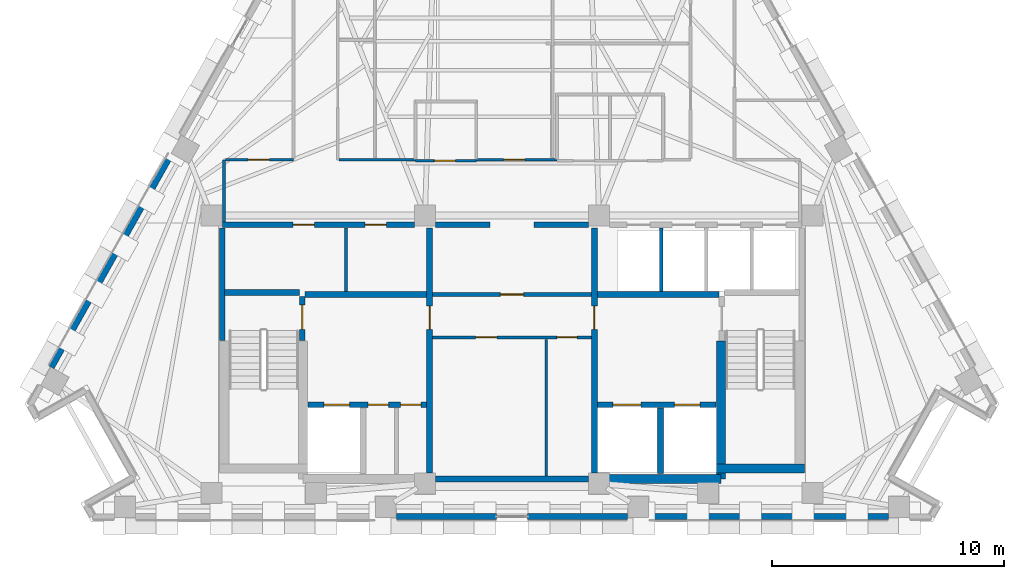
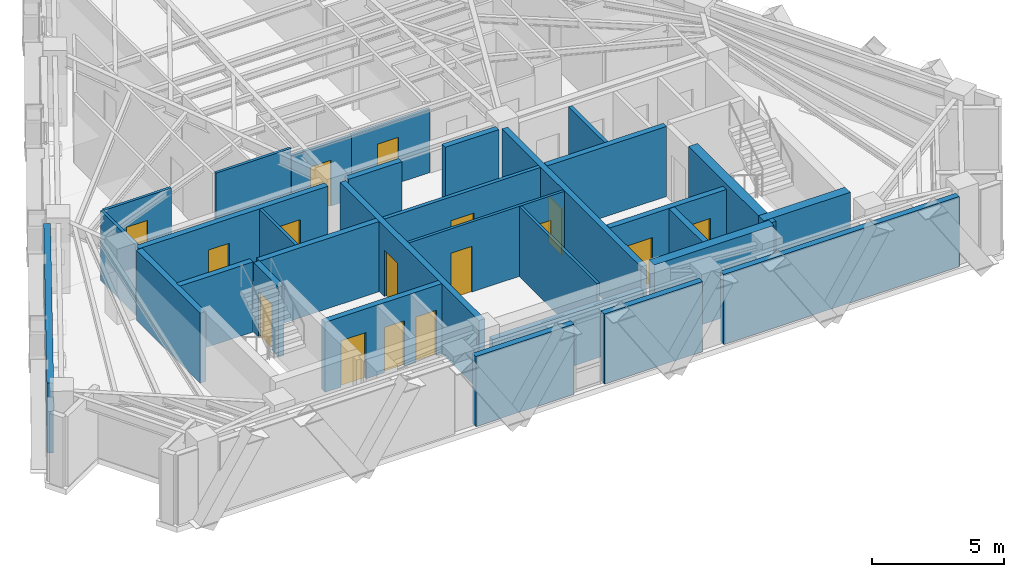
# One storey, part 7 of 12: 31 walls, 16 doors, 16 openings.
"""IFC4 building model written with IfcOpenShell, lengths in metres."""

from ifc_helpers import new_model, si_unit, direction, frame, frame_2d, origin, place, context, subcontext, project, spatial, rectangle, extrude, material, layer, layer_set, type_object, element, fill, save


model = new_model("IFC4")

# Units and contexts
model_context = context("Model", 3, precision=1e-05, world=origin(), true_north=direction((0.0, 1.0)))
body_context = subcontext(model_context, "Body", "Model", "MODEL_VIEW")
ifc_project = project(units=[si_unit("LENGTHUNIT", "METRE"), si_unit("AREAUNIT", "SQUARE_METRE"), si_unit("VOLUMEUNIT", "CUBIC_METRE"), si_unit("PLANEANGLEUNIT", "RADIAN"), si_unit("MASSUNIT", "GRAM", prefix="KILO")], contexts=[model_context])

# Site, building, storey
site_placement = place(None, origin())
site = spatial("IfcSite", under=ifc_project, at=site_placement, CompositionType="ELEMENT")
building_placement = place(site_placement, origin())
building = spatial("IfcBuilding", under=site, at=building_placement, Name="Quenlor Broadcast Tower", CompositionType="ELEMENT")
storey_placement = place(building_placement, frame((0.0, 0.0, 211.39990234375)))
storey = spatial("IfcBuildingStorey", under=building, at=storey_placement, Name="L58", CompositionType="ELEMENT", Elevation=211.39990234375)

# Walls
ifc_material_1 = material(Name="Concrete C50/60", Category="concrete")
ifc_layer_1 = layer(ifc_material_1, 0.39990234375)
ifc_layer_set_1 = layer_set([ifc_layer_1], Name="Core Concrete C50/60 Shear Wall 400")
wall_type_1 = type_object("IfcWallType", Name="Core Concrete C50/60 Shear Wall 400", PredefinedType="SHEAR", material=ifc_layer_set_1)
wall_1_placement = place(storey_placement, frame((3.75, -16.14990234375, 0.0), z_axis=(0.0, 0.0, 1.0), x_axis=(1.0, 0.0, 0.0)))
element("IfcWall", 1, at=wall_1_placement, inside=storey, type_object=wall_type_1, Name="L58 Core Shear Wall WS-E1", PredefinedType="SHEAR", context=body_context, shape_type="SweptSolid", body=[
    extrude(rectangle(XDim=5.25, YDim=0.39990234375, at=frame_2d((2.625, 0.0))), origin(), (0.0, 0.0, 1.0), 3.5),
])
wall_2_placement = place(storey_placement, frame((8.800048828125, -15.699951171875, 0.0), z_axis=(0.0, 0.0, 1.0), x_axis=(1.0, 0.0, 0.0)))
element("IfcWall", 2, at=wall_2_placement, inside=storey, type_object=wall_type_1, Name="L58 Core Shear Wall WS-E2", PredefinedType="SHEAR", context=body_context, shape_type="SweptSolid", body=[
    extrude(rectangle(XDim=3.800048828125, YDim=0.39990234375, at=frame_2d((1.89990234375, 0.0))), origin(), (0.0, 0.0, 1.0), 3.5),
])
wall_3_placement = place(storey_placement, frame((9.0, -16.14990234375, 0.0), z_axis=(0.0, 0.0, 1.0), x_axis=(0.0, 1.0, 0.0)))
element("IfcWall", 3, at=wall_3_placement, inside=storey, type_object=wall_type_1, Name="L58 Core Shear Wall WI-E", PredefinedType="SHEAR", context=body_context, shape_type="SweptSolid", body=[
    extrude(rectangle(XDim=5.949951171875, YDim=0.39990234375, at=frame_2d((2.97509765625, 0.0))), origin(), (0.0, 0.0, 1.0), 3.5),
])

# Wall, opening, door
ifc_material_2 = material(Name="Concrete C40/50", Category="concrete")
ifc_layer_2 = layer(ifc_material_2, 0.25)
ifc_layer_set_2 = layer_set([ifc_layer_2], Name="Fire Rated Concrete C40/50 Core Wall 250")
wall_type_2 = type_object("IfcWallType", Name="Fire Rated Concrete C40/50 Core Wall 250", PredefinedType="PARTITIONING", material=ifc_layer_set_2)
wall_4_placement = place(storey_placement, frame((-9.0400390625, -10.179931640625, 0.0), z_axis=(0.0, 0.0, 1.0), x_axis=(0.0, 1.0, 0.0)))
wall_4 = element("IfcWall", 4, at=wall_4_placement, inside=storey, type_object=wall_type_2, Name="L58 Interior Wall CW-ST1-DR", PredefinedType="PARTITIONING", context=body_context, shape_type="SweptSolid", body=[
    extrude(rectangle(XDim=1.89990234375, YDim=0.25, at=frame_2d((0.949951171875, 0.0))), origin(), (0.0, 0.0, 1.0), 3.25),
])
opening_1_placement = place(wall_4_placement, frame((0.47998046875, 0.0, 0.0)))
opening_1 = element("IfcOpeningElement", 5, at=opening_1_placement, cuts=wall_4, Name="Opening FD-1", PredefinedType="OPENING", context=body_context, shape_type="SweptSolid", body=[
    extrude(rectangle(XDim=1.050048828125, YDim=2.14990234375, at=frame_2d((0.52490234375, 1.074951171875))), frame((0.0, 0.135009765625, 0.0), z_axis=(0.0, -1.0, 0.0), x_axis=(1.0, 0.0, 0.0)), (0.0, 0.0, 1.0), 0.27001953125),
])
ifc_material_3 = material(Name="Fire Rated Steel Door Leaf", Category="steel")
door_type_1 = type_object("IfcDoorType", Name="Fire Isolated Stair Door 1050x2150", OperationType="NOTDEFINED", PredefinedType="DOOR", material=ifc_material_3)
door_1_placement = place(opening_1_placement, origin())
door_1 = element("IfcDoor", 6, at=door_1_placement, inside=storey, type_object=door_type_1, Name="L58 Door DR-ST1", OperationType="SINGLE_SWING_LEFT", OverallHeight=2.14990234375, OverallWidth=1.050048828125, PredefinedType="DOOR", context=body_context, shape_type="SweptSolid", body=[
    extrude(rectangle(XDim=1.050048828125, YDim=2.14990234375, at=frame_2d((0.52490234375, 1.074951171875))), frame((0.0, 0.02490234375, 0.0), z_axis=(0.0, -1.0, 0.0), x_axis=(1.0, 0.0, 0.0)), (0.0, 0.0, 1.0), 0.050048828125),
])
fill(opening_1, door_1)

# Walls
wall_5_placement = place(storey_placement, frame((-12.3798828125, -8.1201171875, 0.0), z_axis=(0.0, 0.0, 1.0), x_axis=(1.0, 0.0, 0.0)))
element("IfcWall", 7, at=wall_5_placement, inside=storey, type_object=wall_type_2, Name="L58 Interior Wall CW-ST1-N", PredefinedType="PARTITIONING", context=body_context, shape_type="SweptSolid", body=[
    extrude(rectangle(XDim=3.219970703125, YDim=0.25, at=frame_2d((1.60986328125, 0.0))), origin(), (0.0, 0.0, 1.0), 3.25),
])
wall_6_placement = place(storey_placement, frame((-12.47998046875, -10.179931640625, 0.0), z_axis=(0.0, 0.0, 1.0), x_axis=(0.0, 1.0, 0.0)))
element("IfcWall", 8, at=wall_6_placement, inside=storey, type_object=wall_type_2, Name="L58 Interior Wall CW-ST1-W2", PredefinedType="PARTITIONING", context=body_context, shape_type="SweptSolid", body=[
    extrude(rectangle(XDim=4.83984375, YDim=0.25, at=frame_2d((2.419921875, 0.0))), origin(), (0.0, 0.0, 1.0), 3.25),
])

# Wall, openings, doors
wall_7_placement = place(storey_placement, frame((-8.798095703125, -12.949951171875, 0.0), z_axis=(0.0, 0.0, 1.0), x_axis=(1.0, 0.0, 0.0)))
wall_7 = element("IfcWall", 9, at=wall_7_placement, inside=storey, type_object=wall_type_2, Name="L58 Interior Wall CW-FFW-S", PredefinedType="PARTITIONING", context=body_context, shape_type="SweptSolid", body=[
    extrude(rectangle(XDim=5.1181640625, YDim=0.25, at=frame_2d((2.55908203125, 0.0))), origin(), (0.0, 0.0, 1.0), 3.25),
])
opening_2_placement = place(wall_7_placement, frame((0.697998046875, 0.0, 0.0)))
opening_2 = element("IfcOpeningElement", 10, at=opening_2_placement, cuts=wall_7, Name="Opening LD-FFL-1", PredefinedType="OPENING", context=body_context, shape_type="SweptSolid", body=[
    extrude(rectangle(XDim=1.10009765625, YDim=2.14990234375, at=frame_2d((0.550048828125, 1.074951171875))), frame((0.0, 0.135009765625, 0.0), z_axis=(0.0, -1.0, 0.0), x_axis=(1.0, 0.0, 0.0)), (0.0, 0.0, 1.0), 0.27001953125),
])
opening_3_placement = place(wall_7_placement, frame((2.597900390625, 0.0, 0.0)))
opening_3 = element("IfcOpeningElement", 11, at=opening_3_placement, cuts=wall_7, Name="Opening TD-1", PredefinedType="OPENING", context=body_context, shape_type="SweptSolid", body=[
    extrude(rectangle(XDim=0.8798828125, YDim=2.10009765625, at=frame_2d((0.43994140625, 1.050048828125))), frame((0.0, 0.135009765625, 0.0), z_axis=(0.0, -1.0, 0.0), x_axis=(1.0, 0.0, 0.0)), (0.0, 0.0, 1.0), 0.27001953125),
])
opening_4_placement = place(wall_7_placement, frame((3.998046875, 0.0, 0.0)))
opening_4 = element("IfcOpeningElement", 12, at=opening_4_placement, cuts=wall_7, Name="Opening TD-1", PredefinedType="OPENING", context=body_context, shape_type="SweptSolid", body=[
    extrude(rectangle(XDim=0.8798828125, YDim=2.10009765625, at=frame_2d((0.43994140625, 1.050048828125))), frame((0.0, 0.135009765625, 0.0), z_axis=(0.0, -1.0, 0.0), x_axis=(1.0, 0.0, 0.0)), (0.0, 0.0, 1.0), 0.27001953125),
])
ifc_material_4 = material(Name="Brushed Stainless Steel", Category="steel")
door_type_2 = type_object("IfcDoorType", Name="Emergency Lift Sliding Landing Door 1100x2150", OperationType="NOTDEFINED", PredefinedType="DOOR", material=ifc_material_4)
door_2_placement = place(opening_2_placement, origin())
door_2 = element("IfcDoor", 13, at=door_2_placement, inside=storey, type_object=door_type_2, Name="L58 Door LD-FFL-1", OperationType="SLIDING_TO_LEFT", OverallHeight=2.14990234375, OverallWidth=1.10009765625, PredefinedType="DOOR", context=body_context, shape_type="SweptSolid", body=[
    extrude(rectangle(XDim=1.10009765625, YDim=2.14990234375, at=frame_2d((0.550048828125, 1.074951171875))), frame((0.0, 0.02490234375, 0.0), z_axis=(0.0, -1.0, 0.0), x_axis=(1.0, 0.0, 0.0)), (0.0, 0.0, 1.0), 0.050048828125),
])
fill(opening_2, door_2)
ifc_material_5 = material(Name="Fire Rated Steel Access Panel", Category="steel")
door_type_3 = type_object("IfcDoorType", Name="Riser Shaft Rated Access Trapdoor 880x2100", OperationType="NOTDEFINED", PredefinedType="TRAPDOOR", material=ifc_material_5)
door_3_placement = place(opening_3_placement, origin())
door_3 = element("IfcDoor", 14, at=door_3_placement, inside=storey, type_object=door_type_3, Name="L58 Door DR-ELR", OperationType="SINGLE_SWING_LEFT", OverallHeight=2.10009765625, OverallWidth=0.8798828125, PredefinedType="TRAPDOOR", context=body_context, shape_type="SweptSolid", body=[
    extrude(rectangle(XDim=0.8798828125, YDim=2.10009765625, at=frame_2d((0.43994140625, 1.050048828125))), frame((0.0, 0.02490234375, 0.0), z_axis=(0.0, -1.0, 0.0), x_axis=(1.0, 0.0, 0.0)), (0.0, 0.0, 1.0), 0.050048828125),
])
fill(opening_3, door_3)
door_4_placement = place(opening_4_placement, origin())
door_4 = element("IfcDoor", 15, at=door_4_placement, inside=storey, type_object=door_type_3, Name="L58 Door DR-CMR", OperationType="SINGLE_SWING_RIGHT", OverallHeight=2.10009765625, OverallWidth=0.8798828125, PredefinedType="TRAPDOOR", context=body_context, shape_type="SweptSolid", body=[
    extrude(rectangle(XDim=0.8798828125, YDim=2.10009765625, at=frame_2d((0.43994140625, 1.050048828125))), frame((0.0, 0.02490234375, 0.0), z_axis=(0.0, -1.0, 0.0), x_axis=(1.0, 0.0, 0.0)), (0.0, 0.0, 1.0), 0.050048828125),
])
fill(opening_4, door_4)

wall_8_placement = place(storey_placement, frame((3.679931640625, -12.949951171875, 0.0), z_axis=(0.0, 0.0, 1.0), x_axis=(1.0, 0.0, 0.0)))
wall_8 = element("IfcWall", 16, at=wall_8_placement, inside=storey, type_object=wall_type_2, Name="L58 Interior Wall CW-FFE-S", PredefinedType="PARTITIONING", context=body_context, shape_type="SweptSolid", body=[
    extrude(rectangle(XDim=5.1181640625, YDim=0.25, at=frame_2d((2.55908203125, 0.0))), origin(), (0.0, 0.0, 1.0), 3.25),
])
opening_5_placement = place(wall_8_placement, frame((3.320068359375, 0.0, 0.0)))
opening_5 = element("IfcOpeningElement", 17, at=opening_5_placement, cuts=wall_8, Name="Opening LD-FFL-2", PredefinedType="OPENING", context=body_context, shape_type="SweptSolid", body=[
    extrude(rectangle(XDim=1.10009765625, YDim=2.14990234375, at=frame_2d((0.550048828125, 1.074951171875))), frame((0.0, 0.135009765625, 0.0), z_axis=(0.0, -1.0, 0.0), x_axis=(1.0, 0.0, 0.0)), (0.0, 0.0, 1.0), 0.27001953125),
])
opening_6_placement = place(wall_8_placement, frame((0.669921875, 0.0, 0.0)))
opening_6 = element("IfcOpeningElement", 18, at=opening_6_placement, cuts=wall_8, Name="Opening LD-SVL-1", PredefinedType="OPENING", context=body_context, shape_type="SweptSolid", body=[
    extrude(rectangle(XDim=1.199951171875, YDim=2.14990234375, at=frame_2d((0.60009765625, 1.074951171875))), frame((0.0, 0.135009765625, 0.0), z_axis=(0.0, -1.0, 0.0), x_axis=(1.0, 0.0, 0.0)), (0.0, 0.0, 1.0), 0.27001953125),
])
door_5_placement = place(opening_5_placement, origin())
door_5 = element("IfcDoor", 19, at=door_5_placement, inside=storey, type_object=door_type_2, Name="L58 Door LD-FFL-2", OperationType="SLIDING_TO_RIGHT", OverallHeight=2.14990234375, OverallWidth=1.10009765625, PredefinedType="DOOR", context=body_context, shape_type="SweptSolid", body=[
    extrude(rectangle(XDim=1.10009765625, YDim=2.14990234375, at=frame_2d((0.550048828125, 1.074951171875))), frame((0.0, 0.02490234375, 0.0), z_axis=(0.0, -1.0, 0.0), x_axis=(1.0, 0.0, 0.0)), (0.0, 0.0, 1.0), 0.050048828125),
])
fill(opening_5, door_5)
ifc_material_6 = material(Name="Brushed Stainless Steel", Category="steel")
door_type_4 = type_object("IfcDoorType", Name="Goods Lift Sliding Landing Door 1200x2150", OperationType="NOTDEFINED", PredefinedType="DOOR", material=ifc_material_6)
door_6_placement = place(opening_6_placement, origin())
door_6 = element("IfcDoor", 20, at=door_6_placement, inside=storey, type_object=door_type_4, Name="L58 Door LD-SVL-1", OperationType="SLIDING_TO_LEFT", OverallHeight=2.14990234375, OverallWidth=1.199951171875, PredefinedType="DOOR", context=body_context, shape_type="SweptSolid", body=[
    extrude(rectangle(XDim=1.199951171875, YDim=2.14990234375, at=frame_2d((0.60009765625, 1.074951171875))), frame((0.0, 0.02490234375, 0.0), z_axis=(0.0, -1.0, 0.0), x_axis=(1.0, 0.0, 0.0)), (0.0, 0.0, 1.0), 0.050048828125),
])
fill(opening_6, door_6)

# Walls
wall_9_placement = place(storey_placement, frame((6.39990234375, -15.919921875, 0.0), z_axis=(0.0, 0.0, 1.0), x_axis=(0.0, 1.0, 0.0)))
element("IfcWall", 21, at=wall_9_placement, inside=storey, type_object=wall_type_2, Name="L58 Interior Wall CW-SV1-E", PredefinedType="PARTITIONING", context=body_context, shape_type="SweptSolid", body=[
    extrude(rectangle(XDim=2.829833984375, YDim=0.25, at=frame_2d((1.4150390625, 0.0))), origin(), (0.0, 0.0, 1.0), 3.25),
])
for number, where, z_axis, x_axis, name in (
    (22, (-8.919921875, -8.199951171875, 0.0), (0.0, 0.0, 1.0), (1.0, 0.0, 0.0), "L58 Interior Wall CW-FFW-N"),
    (23, (3.679931640625, -8.199951171875, 0.0), (0.0, 0.0, 1.0), (1.0, 0.0, 0.0), "L58 Interior Wall CW-FFE-N"),
):
    element("IfcWall", number, at=place(storey_placement, frame(where, z_axis=z_axis, x_axis=x_axis)), inside=storey, type_object=wall_type_2, Name=name, PredefinedType="PARTITIONING", context=body_context, shape_type="SweptSolid", body=[
        extrude(rectangle(XDim=5.239990234375, YDim=0.25, at=frame_2d((2.6201171875, 0.0))), origin(), (0.0, 0.0, 1.0), 3.25),
    ])

# Wall, opening, door
wall_10_placement = place(storey_placement, frame((-3.550048828125, -15.89794921875, 0.0), z_axis=(0.0, 0.0, 1.0), x_axis=(0.0, 1.0, 0.0)))
wall_10 = element("IfcWall", 24, at=wall_10_placement, inside=storey, type_object=wall_type_2, Name="L58 Interior Wall CW-FFW-E", PredefinedType="PARTITIONING", context=body_context, shape_type="SweptSolid", body=[
    extrude(rectangle(XDim=10.557861328125, YDim=0.25, at=frame_2d((5.27880859375, 0.0))), origin(), (0.0, 0.0, 1.0), 3.25),
])
opening_7_placement = place(wall_10_placement, frame((6.197998046875, 0.0, 0.0)))
opening_7 = element("IfcOpeningElement", 25, at=opening_7_placement, cuts=wall_10, Name="Opening FD-2", PredefinedType="OPENING", context=body_context, shape_type="SweptSolid", body=[
    extrude(rectangle(XDim=1.0, YDim=2.14990234375, at=frame_2d((0.5, 1.074951171875))), frame((0.0, 0.135009765625, 0.0), z_axis=(0.0, -1.0, 0.0), x_axis=(1.0, 0.0, 0.0)), (0.0, 0.0, 1.0), 0.27001953125),
])
ifc_material_7 = material(Name="Fire Rated Glazed Steel Door", Category="steel")
door_type_5 = type_object("IfcDoorType", Name="Firefighting Lobby Smoke Door 1000x2150", OperationType="NOTDEFINED", PredefinedType="DOOR", material=ifc_material_7)
door_7_placement = place(opening_7_placement, origin())
door_7 = element("IfcDoor", 26, at=door_7_placement, inside=storey, type_object=door_type_5, Name="L58 Door DR-FFLW", OperationType="SINGLE_SWING_RIGHT", OverallHeight=2.14990234375, OverallWidth=1.0, PredefinedType="DOOR", context=body_context, shape_type="SweptSolid", body=[
    extrude(rectangle(XDim=1.0, YDim=2.14990234375, at=frame_2d((0.5, 1.074951171875))), frame((0.0, 0.02490234375, 0.0), z_axis=(0.0, -1.0, 0.0), x_axis=(1.0, 0.0, 0.0)), (0.0, 0.0, 1.0), 0.050048828125),
])
fill(opening_7, door_7)

wall_11_placement = place(storey_placement, frame((3.550048828125, -15.89794921875, 0.0), z_axis=(0.0, 0.0, 1.0), x_axis=(0.0, 1.0, 0.0)))
wall_11 = element("IfcWall", 27, at=wall_11_placement, inside=storey, type_object=wall_type_2, Name="L58 Interior Wall CW-FFE-W", PredefinedType="PARTITIONING", context=body_context, shape_type="SweptSolid", body=[
    extrude(rectangle(XDim=10.557861328125, YDim=0.25, at=frame_2d((5.27880859375, 0.0))), origin(), (0.0, 0.0, 1.0), 3.25),
])
opening_8_placement = place(wall_11_placement, frame((6.197998046875, 0.0, 0.0)))
opening_8 = element("IfcOpeningElement", 28, at=opening_8_placement, cuts=wall_11, Name="Opening FD-2", PredefinedType="OPENING", context=body_context, shape_type="SweptSolid", body=[
    extrude(rectangle(XDim=1.0, YDim=2.14990234375, at=frame_2d((0.5, 1.074951171875))), frame((0.0, 0.135009765625, 0.0), z_axis=(0.0, -1.0, 0.0), x_axis=(1.0, 0.0, 0.0)), (0.0, 0.0, 1.0), 0.27001953125),
])
door_8_placement = place(opening_8_placement, origin())
door_8 = element("IfcDoor", 29, at=door_8_placement, inside=storey, type_object=door_type_5, Name="L58 Door DR-FFLE", OperationType="SINGLE_SWING_LEFT", OverallHeight=2.14990234375, OverallWidth=1.0, PredefinedType="DOOR", context=body_context, shape_type="SweptSolid", body=[
    extrude(rectangle(XDim=1.0, YDim=2.14990234375, at=frame_2d((0.5, 1.074951171875))), frame((0.0, 0.02490234375, 0.0), z_axis=(0.0, -1.0, 0.0), x_axis=(1.0, 0.0, 0.0)), (0.0, 0.0, 1.0), 0.050048828125),
])
fill(opening_8, door_8)

# Wall, openings, doors
wall_12_placement = place(storey_placement, frame((-12.47998046875, -5.199951171875, 0.0), z_axis=(0.0, 0.0, 1.0), x_axis=(1.0, 0.0, 0.0)))
wall_12 = element("IfcWall", 30, at=wall_12_placement, inside=storey, type_object=wall_type_2, Name="L58 Interior Wall CW-N-W", PredefinedType="PARTITIONING", context=body_context, shape_type="SweptSolid", body=[
    extrude(rectangle(XDim=8.278076171875, YDim=0.25, at=frame_2d((4.13916015625, 0.0))), origin(), (0.0, 0.0, 1.0), 3.25),
])
opening_9_placement = place(wall_12_placement, frame((3.050048828125, 0.0, 0.0)))
opening_9 = element("IfcOpeningElement", 31, at=opening_9_placement, cuts=wall_12, Name="Opening ID-1", PredefinedType="OPENING", context=body_context, shape_type="SweptSolid", body=[
    extrude(rectangle(XDim=0.919921875, YDim=2.1201171875, at=frame_2d((0.4599609375, 1.06005859375))), frame((0.0, 0.135009765625, 0.0), z_axis=(0.0, -1.0, 0.0), x_axis=(1.0, 0.0, 0.0)), (0.0, 0.0, 1.0), 0.27001953125),
])
opening_10_placement = place(wall_12_placement, frame((6.14990234375, 0.0, 0.0)))
opening_10 = element("IfcOpeningElement", 32, at=opening_10_placement, cuts=wall_12, Name="Opening ID-1", PredefinedType="OPENING", context=body_context, shape_type="SweptSolid", body=[
    extrude(rectangle(XDim=0.919921875, YDim=2.1201171875, at=frame_2d((0.4599609375, 1.06005859375))), frame((0.0, 0.135009765625, 0.0), z_axis=(0.0, -1.0, 0.0), x_axis=(1.0, 0.0, 0.0)), (0.0, 0.0, 1.0), 0.27001953125),
])
ifc_material_8 = material(Name="Solid Core Timber Oak", Category="wood")
door_type_6 = type_object("IfcDoorType", Name="Single Leaf Timber Office Door 920x2120", OperationType="NOTDEFINED", PredefinedType="DOOR", material=ifc_material_8)
door_9_placement = place(opening_9_placement, origin())
door_9 = element("IfcDoor", 33, at=door_9_placement, inside=storey, type_object=door_type_6, Name="L58 Door DR-RCL1", OperationType="SINGLE_SWING_LEFT", OverallHeight=2.1201171875, OverallWidth=0.919921875, PredefinedType="DOOR", context=body_context, shape_type="SweptSolid", body=[
    extrude(rectangle(XDim=0.919921875, YDim=2.1201171875, at=frame_2d((0.4599609375, 1.06005859375))), frame((0.0, 0.02490234375, 0.0), z_axis=(0.0, -1.0, 0.0), x_axis=(1.0, 0.0, 0.0)), (0.0, 0.0, 1.0), 0.050048828125),
])
fill(opening_9, door_9)
door_10_placement = place(opening_10_placement, origin())
door_10 = element("IfcDoor", 34, at=door_10_placement, inside=storey, type_object=door_type_6, Name="L58 Door DR-RCL2", OperationType="SINGLE_SWING_RIGHT", OverallHeight=2.1201171875, OverallWidth=0.919921875, PredefinedType="DOOR", context=body_context, shape_type="SweptSolid", body=[
    extrude(rectangle(XDim=0.919921875, YDim=2.1201171875, at=frame_2d((0.4599609375, 1.06005859375))), frame((0.0, 0.02490234375, 0.0), z_axis=(0.0, -1.0, 0.0), x_axis=(1.0, 0.0, 0.0)), (0.0, 0.0, 1.0), 0.050048828125),
])
fill(opening_10, door_10)

# Walls
for number, where, z_axis, x_axis, name in (
    (35, (-3.298095703125, -5.199951171875, 0.0), (0.0, 0.0, 1.0), (1.0, 0.0, 0.0), "L58 Interior Wall CW-N-M1"),
    (36, (0.949951171875, -5.199951171875, 0.0), (0.0, 0.0, 1.0), (1.0, 0.0, 0.0), "L58 Interior Wall CW-N-M2"),
):
    element("IfcWall", number, at=place(storey_placement, frame(where, z_axis=z_axis, x_axis=x_axis)), inside=storey, type_object=wall_type_2, Name=name, PredefinedType="PARTITIONING", context=body_context, shape_type="SweptSolid", body=[
        extrude(rectangle(XDim=2.34814453125, YDim=0.25, at=frame_2d((1.174072265625, 0.0))), origin(), (0.0, 0.0, 1.0), 3.25),
    ])
wall_13_placement = place(storey_placement, frame((-3.298095703125, -16.14990234375, 0.0), z_axis=(0.0, 0.0, 1.0), x_axis=(1.0, 0.0, 0.0)))
element("IfcWall", 37, at=wall_13_placement, inside=storey, type_object=wall_type_2, Name="L58 Interior Wall CW-MS-S", PredefinedType="PARTITIONING", context=body_context, shape_type="SweptSolid", body=[
    extrude(rectangle(XDim=6.59619140625, YDim=0.25, at=frame_2d((3.298095703125, 0.0))), origin(), (0.0, 0.0, 1.0), 2.4501953125),
])
ifc_material_9 = material(Name="Gypsum Fireboard Partition", Category="other")
ifc_layer_3 = layer(ifc_material_9, 0.159912109375)
ifc_layer_set_3 = layer_set([ifc_layer_3], Name="Fire Rated Shaft and Corridor Partition 160")
wall_type_3 = type_object("IfcWallType", Name="Fire Rated Shaft and Corridor Partition 160", PredefinedType="PARTITIONING", material=ifc_layer_set_3)
wall_14_placement = place(storey_placement, frame((6.425048828125, -8.072998046875, 0.0), z_axis=(0.0, 0.0, 1.0), x_axis=(0.0, 1.0, 0.0)))
element("IfcWall", 38, at=wall_14_placement, inside=storey, type_object=wall_type_3, Name="L58 Interior Wall CW-PLH-D1", PredefinedType="PARTITIONING", context=body_context, shape_type="SweptSolid", body=[
    extrude(rectangle(XDim=2.73291015625, YDim=0.159912109375, at=frame_2d((1.366455078125, 0.0))), origin(), (0.0, 0.0, 1.0), 3.25),
])

# Wall, opening, door
wall_15_placement = place(storey_placement, frame((-3.419921875, -8.199951171875, 0.0), z_axis=(0.0, 0.0, 1.0), x_axis=(1.0, 0.0, 0.0)))
wall_15 = element("IfcWall", 39, at=wall_15_placement, inside=storey, type_object=wall_type_3, Name="L58 Interior Wall CW-M-BACK", PredefinedType="PARTITIONING", context=body_context, shape_type="SweptSolid", body=[
    extrude(rectangle(XDim=6.83984375, YDim=0.159912109375, at=frame_2d((3.419921875, 0.0))), origin(), (0.0, 0.0, 1.0), 3.25),
])
opening_11_placement = place(wall_15_placement, frame((2.919921875, 0.0, 0.0)))
opening_11 = element("IfcOpeningElement", 40, at=opening_11_placement, cuts=wall_15, Name="Opening FD-2", PredefinedType="OPENING", context=body_context, shape_type="SweptSolid", body=[
    extrude(rectangle(XDim=1.0, YDim=2.14990234375, at=frame_2d((0.5, 1.074951171875))), frame((0.0, 0.08984375, 0.0), z_axis=(0.0, -1.0, 0.0), x_axis=(1.0, 0.0, 0.0)), (0.0, 0.0, 1.0), 0.179931640625),
])
door_11_placement = place(opening_11_placement, origin())
door_11 = element("IfcDoor", 41, at=door_11_placement, inside=storey, type_object=door_type_5, Name="L58 Door DR-CCRP", OperationType="SINGLE_SWING_LEFT", OverallHeight=2.14990234375, OverallWidth=1.0, PredefinedType="DOOR", context=body_context, shape_type="SweptSolid", body=[
    extrude(rectangle(XDim=1.0, YDim=2.14990234375, at=frame_2d((0.5, 1.074951171875))), frame((0.0, 0.02490234375, 0.0), z_axis=(0.0, -1.0, 0.0), x_axis=(1.0, 0.0, 0.0)), (0.0, 0.0, 1.0), 0.050048828125),
])
fill(opening_11, door_11)

# Wall
ifc_material_10 = material(Name="Gypsum Plasterboard Partition", Category="other")
ifc_layer_4 = layer(ifc_material_10, 0.1201171875)
ifc_layer_set_4 = layer_set([ifc_layer_4], Name="Standard Office Partition 120")
wall_type_4 = type_object("IfcWallType", Name="Standard Office Partition 120", PredefinedType="PARTITIONING", material=ifc_layer_set_4)
wall_16_placement = place(storey_placement, frame((-7.14990234375, -8.072998046875, 0.0), z_axis=(0.0, 0.0, 1.0), x_axis=(0.0, 1.0, 0.0)))
element("IfcWall", 42, at=wall_16_placement, inside=storey, type_object=wall_type_4, Name="L58 Interior Wall CW-RCL-MID", PredefinedType="PARTITIONING", context=body_context, shape_type="SweptSolid", body=[
    extrude(rectangle(XDim=2.73291015625, YDim=0.1201171875, at=frame_2d((1.366455078125, 0.0))), origin(), (0.0, 0.0, 1.0), 3.25),
])

# Wall, openings, doors
wall_17_placement = place(storey_placement, frame((-3.419921875, -10.050048828125, 0.0), z_axis=(0.0, 0.0, 1.0), x_axis=(1.0, 0.0, 0.0)))
wall_17 = element("IfcWall", 43, at=wall_17_placement, inside=storey, type_object=wall_type_4, Name="L58 Interior Wall CW-MS-N", PredefinedType="PARTITIONING", context=body_context, shape_type="SweptSolid", body=[
    extrude(rectangle(XDim=6.83984375, YDim=0.1201171875, at=frame_2d((3.419921875, 0.0))), origin(), (0.0, 0.0, 1.0), 3.25),
])
opening_12_placement = place(wall_17_placement, frame((1.85009765625, 0.0, 0.0)))
opening_12 = element("IfcOpeningElement", 44, at=opening_12_placement, cuts=wall_17, Name="Opening ID-1", PredefinedType="OPENING", context=body_context, shape_type="SweptSolid", body=[
    extrude(rectangle(XDim=0.919921875, YDim=2.1201171875, at=frame_2d((0.4599609375, 1.06005859375))), frame((0.0, 0.070068359375, 0.0), z_axis=(0.0, -1.0, 0.0), x_axis=(1.0, 0.0, 0.0)), (0.0, 0.0, 1.0), 0.14013671875),
])
opening_13_placement = place(wall_17_placement, frame((5.35009765625, 0.0, 0.0)))
opening_13 = element("IfcOpeningElement", 45, at=opening_13_placement, cuts=wall_17, Name="Opening ID-4", PredefinedType="OPENING", context=body_context, shape_type="SweptSolid", body=[
    extrude(rectangle(XDim=0.8798828125, YDim=2.1201171875, at=frame_2d((0.43994140625, 1.06005859375))), frame((0.0, 0.070068359375, 0.0), z_axis=(0.0, -1.0, 0.0), x_axis=(1.0, 0.0, 0.0)), (0.0, 0.0, 1.0), 0.14013671875),
])
ifc_material_11 = material(Name="Solid Core Timber Oak", Category="wood")
door_type_7 = type_object("IfcDoorType", Name="Service Closet Timber Door 880x2120", OperationType="NOTDEFINED", PredefinedType="DOOR", material=ifc_material_11)
door_12_placement = place(opening_13_placement, origin())
door_12 = element("IfcDoor", 46, at=door_12_placement, inside=storey, type_object=door_type_7, Name="L58 Door DR-RCMB", OperationType="SINGLE_SWING_RIGHT", OverallHeight=2.1201171875, OverallWidth=0.8798828125, PredefinedType="DOOR", context=body_context, shape_type="SweptSolid", body=[
    extrude(rectangle(XDim=0.8798828125, YDim=2.1201171875, at=frame_2d((0.43994140625, 1.06005859375))), frame((0.0, 0.02490234375, 0.0), z_axis=(0.0, -1.0, 0.0), x_axis=(1.0, 0.0, 0.0)), (0.0, 0.0, 1.0), 0.050048828125),
])
fill(opening_13, door_12)
door_13_placement = place(opening_12_placement, origin())
door_13 = element("IfcDoor", 47, at=door_13_placement, inside=storey, type_object=door_type_6, Name="L58 Door DR-RCMA", OperationType="SINGLE_SWING_LEFT", OverallHeight=2.1201171875, OverallWidth=0.919921875, PredefinedType="DOOR", context=body_context, shape_type="SweptSolid", body=[
    extrude(rectangle(XDim=0.919921875, YDim=2.1201171875, at=frame_2d((0.4599609375, 1.06005859375))), frame((0.0, 0.02490234375, 0.0), z_axis=(0.0, -1.0, 0.0), x_axis=(1.0, 0.0, 0.0)), (0.0, 0.0, 1.0), 0.050048828125),
])
fill(opening_12, door_13)

# Wall
wall_18_placement = place(storey_placement, frame((1.47998046875, -16.02001953125, 0.0), z_axis=(0.0, 0.0, 1.0), x_axis=(0.0, 1.0, 0.0)))
element("IfcWall", 48, at=wall_18_placement, inside=storey, type_object=wall_type_4, Name="L58 Interior Wall CW-RCM-X2", PredefinedType="PARTITIONING", context=body_context, shape_type="SweptSolid", body=[
    extrude(rectangle(XDim=5.89013671875, YDim=0.1201171875, at=frame_2d((2.945068359375, 0.0))), origin(), (0.0, 0.0, 1.0), 3.25),
])

# Wall, opening, door
wall_19_placement = place(storey_placement, frame((-4.159912109375, -2.43994140625, 0.0), z_axis=(0.0, 0.0, 1.0), x_axis=(1.0, 0.0, 0.0)))
wall_19 = element("IfcWall", 49, at=wall_19_placement, inside=storey, type_object=wall_type_4, Name="L58 Interior Wall PW-AWC-S", PredefinedType="PARTITIONING", context=body_context, shape_type="SweptSolid", body=[
    extrude(rectangle(XDim=2.619873046875, YDim=0.1201171875, at=frame_2d((1.31005859375, 0.0))), origin(), (0.0, 0.0, 1.0), 2.94287109375),
])
opening_14_placement = place(wall_19_placement, frame((0.820068359375, 0.0, 0.0)))
opening_14 = element("IfcOpeningElement", 50, at=opening_14_placement, cuts=wall_19, Name="Opening ID-3", PredefinedType="OPENING", context=body_context, shape_type="SweptSolid", body=[
    extrude(rectangle(XDim=0.89990234375, YDim=2.1201171875, at=frame_2d((0.449951171875, 1.06005859375))), frame((0.0, 0.070068359375, 0.0), z_axis=(0.0, -1.0, 0.0), x_axis=(1.0, 0.0, 0.0)), (0.0, 0.0, 1.0), 0.14013671875),
])
ifc_material_12 = material(Name="Moisture Resistant Timber Oak", Category="wood")
door_type_8 = type_object("IfcDoorType", Name="Washroom Privacy Door 900x2120", OperationType="NOTDEFINED", PredefinedType="DOOR", material=ifc_material_12)
door_14_placement = place(opening_14_placement, origin())
door_14 = element("IfcDoor", 51, at=door_14_placement, inside=storey, type_object=door_type_8, Name="L58 Door DR-AWC", OperationType="SINGLE_SWING_LEFT", OverallHeight=2.1201171875, OverallWidth=0.89990234375, PredefinedType="DOOR", context=body_context, shape_type="SweptSolid", body=[
    extrude(rectangle(XDim=0.89990234375, YDim=2.1201171875, at=frame_2d((0.449951171875, 1.06005859375))), frame((0.0, 0.02490234375, 0.0), z_axis=(0.0, -1.0, 0.0), x_axis=(1.0, 0.0, 0.0)), (0.0, 0.0, 1.0), 0.050048828125),
])
fill(opening_14, door_14)

# Wall
wall_20_placement = place(storey_placement, frame((-12.409912109375, -5.072998046875, 0.0), z_axis=(0.0, 0.0, 1.0), x_axis=(0.0, 1.0, 0.0)))
element("IfcWall", 52, at=wall_20_placement, inside=storey, type_object=wall_type_4, Name="L58 Interior Wall PW-CR-01", PredefinedType="PARTITIONING", context=body_context, shape_type="SweptSolid", body=[
    extrude(rectangle(XDim=2.673095703125, YDim=0.1201171875, at=frame_2d((1.33642578125, 0.0))), origin(), (0.0, 0.0, 1.0), 3.25),
])

# Wall, opening, door
wall_21_placement = place(storey_placement, frame((-12.347900390625, -2.39990234375, 0.0), z_axis=(0.0, 0.0, 1.0), x_axis=(1.0, 0.0, 0.0)))
wall_21 = element("IfcWall", 53, at=wall_21_placement, inside=storey, type_object=wall_type_4, Name="L58 Interior Wall PW-CR-02", PredefinedType="PARTITIONING", context=body_context, shape_type="SweptSolid", body=[
    extrude(rectangle(XDim=2.93798828125, YDim=0.1201171875, at=frame_2d((1.468994140625, 0.0))), origin(), (0.0, 0.0, 1.0), 3.25),
])
opening_15_placement = place(wall_21_placement, frame((0.97802734375, 0.0, 0.0)))
opening_15 = element("IfcOpeningElement", 54, at=opening_15_placement, cuts=wall_21, Name="Opening ID-1", PredefinedType="OPENING", context=body_context, shape_type="SweptSolid", body=[
    extrude(rectangle(XDim=0.919921875, YDim=2.1201171875, at=frame_2d((0.4599609375, 1.06005859375))), frame((0.0, 0.070068359375, 0.0), z_axis=(0.0, -1.0, 0.0), x_axis=(1.0, 0.0, 0.0)), (0.0, 0.0, 1.0), 0.14013671875),
])
door_15_placement = place(opening_15_placement, origin())
door_15 = element("IfcDoor", 55, at=door_15_placement, inside=storey, type_object=door_type_6, Name="L58 Door DR-RM08", OperationType="SINGLE_SWING_RIGHT", OverallHeight=2.1201171875, OverallWidth=0.919921875, PredefinedType="DOOR", context=body_context, shape_type="SweptSolid", body=[
    extrude(rectangle(XDim=0.919921875, YDim=2.1201171875, at=frame_2d((0.4599609375, 1.06005859375))), frame((0.0, 0.02490234375, 0.0), z_axis=(0.0, -1.0, 0.0), x_axis=(1.0, 0.0, 0.0)), (0.0, 0.0, 1.0), 0.050048828125),
])
fill(opening_15, door_15)

# Wall
wall_22_placement = place(storey_placement, frame((-7.447998046875, -2.39990234375, 0.0), z_axis=(0.0, 0.0, 1.0), x_axis=(1.0, 0.0, 0.0)))
element("IfcWall", 56, at=wall_22_placement, inside=storey, type_object=wall_type_4, Name="L58 Interior Wall PW-CR-06", PredefinedType="PARTITIONING", context=body_context, shape_type="SweptSolid", body=[
    extrude(rectangle(XDim=3.285888671875, YDim=0.1201171875, at=frame_2d((1.64306640625, 0.0))), origin(), (0.0, 0.0, 1.0), 3.25),
])

# Wall, opening, door
wall_23_placement = place(storey_placement, frame((-1.5380859375, -2.39990234375, 0.0), z_axis=(0.0, 0.0, 1.0), x_axis=(1.0, 0.0, 0.0)))
wall_23 = element("IfcWall", 57, at=wall_23_placement, inside=storey, type_object=wall_type_4, Name="L58 Interior Wall PW-CR-06S2", PredefinedType="PARTITIONING", context=body_context, shape_type="SweptSolid", body=[
    extrude(rectangle(XDim=3.47607421875, YDim=0.1201171875, at=frame_2d((1.738037109375, 0.0))), origin(), (0.0, 0.0, 1.0), 2.94287109375),
])
opening_16_placement = place(wall_23_placement, frame((1.177978515625, 0.0, 0.0)))
opening_16 = element("IfcOpeningElement", 58, at=opening_16_placement, cuts=wall_23, Name="Opening ID-1", PredefinedType="OPENING", context=body_context, shape_type="SweptSolid", body=[
    extrude(rectangle(XDim=0.919921875, YDim=2.1201171875, at=frame_2d((0.4599609375, 1.06005859375))), frame((0.0, 0.070068359375, 0.0), z_axis=(0.0, -1.0, 0.0), x_axis=(1.0, 0.0, 0.0)), (0.0, 0.0, 1.0), 0.14013671875),
])
door_16_placement = place(opening_16_placement, origin())
door_16 = element("IfcDoor", 59, at=door_16_placement, inside=storey, type_object=door_type_6, Name="L58 Door DR-RM02", OperationType="SINGLE_SWING_RIGHT", OverallHeight=2.1201171875, OverallWidth=0.919921875, PredefinedType="DOOR", context=body_context, shape_type="SweptSolid", body=[
    extrude(rectangle(XDim=0.919921875, YDim=2.1201171875, at=frame_2d((0.4599609375, 1.06005859375))), frame((0.0, 0.02490234375, 0.0), z_axis=(0.0, -1.0, 0.0), x_axis=(1.0, 0.0, 0.0)), (0.0, 0.0, 1.0), 0.050048828125),
])
fill(opening_16, door_16)

# Walls
ifc_material_13 = material(Name="Precast concrete C40/50", Category="concrete")
ifc_layer_5 = layer(ifc_material_13, 0.260009765625)
ifc_layer_set_5 = layer_set([ifc_layer_5], Name="Terracotta Precast Concrete C40/50 Upper Wall 260")
wall_type_5 = type_object("IfcWallType", Name="Terracotta Precast Concrete C40/50 Upper Wall 260", PredefinedType="STANDARD", material=ifc_layer_set_5)
wall_24_placement = place(storey_placement, frame((16.220947265625, -17.77490234375, 0.0), z_axis=(0.0, 0.0, 1.0), x_axis=(-1.0, 0.0, 0.0)))
element("IfcWall", 60, at=wall_24_placement, inside=storey, type_object=wall_type_5, Name="L58 Exterior Wall L58-EW-SA", PredefinedType="STANDARD", context=body_context, shape_type="SweptSolid", body=[
    extrude(rectangle(XDim=10.328125, YDim=0.260009765625, at=frame_2d((5.1640625, 0.0))), origin(), (0.0, 0.0, 1.0), 3.25),
])
for number, where, z_axis, x_axis, name in (
    (61, (4.9677734375, -17.77490234375, 0.0), (0.0, 0.0, 1.0), (-1.0, 0.0, 0.0), "L58 Exterior Wall L58-S-SP1"),
    (62, (-0.662353515625, -17.77490234375, 0.0), (0.0, 0.0, 1.0), (-1.0, 0.0, 0.0), "L58 Exterior Wall L58-S-SP2"),
):
    element("IfcWall", number, at=place(storey_placement, frame(where, z_axis=z_axis, x_axis=x_axis)), inside=storey, type_object=wall_type_5, Name=name, PredefinedType="STANDARD", context=body_context, shape_type="SweptSolid", body=[
        extrude(rectangle(XDim=4.305419921875, YDim=0.260009765625, at=frame_2d((2.15283203125, 0.0))), origin(), (0.0, 0.0, 1.0), 3.25),
    ])
wall_25_placement = place(storey_placement, frame((-19.84375, -11.3369140625, 0.0), z_axis=(0.0, 0.0, 1.0), x_axis=(0.490246958575, 0.871583570066, 0.0)))
element("IfcWall", 63, at=wall_25_placement, inside=storey, type_object=wall_type_5, Name="L58 Exterior Wall L58-EW-NWA", PredefinedType="STANDARD", context=body_context, shape_type="SweptSolid", body=[
    extrude(rectangle(XDim=10.551513671875, YDim=0.260009765625, at=frame_2d((5.27587890625, 0.0))), origin(), (0.0, 0.0, 1.0), 3.25),
])

save(model, "model.ifc")
